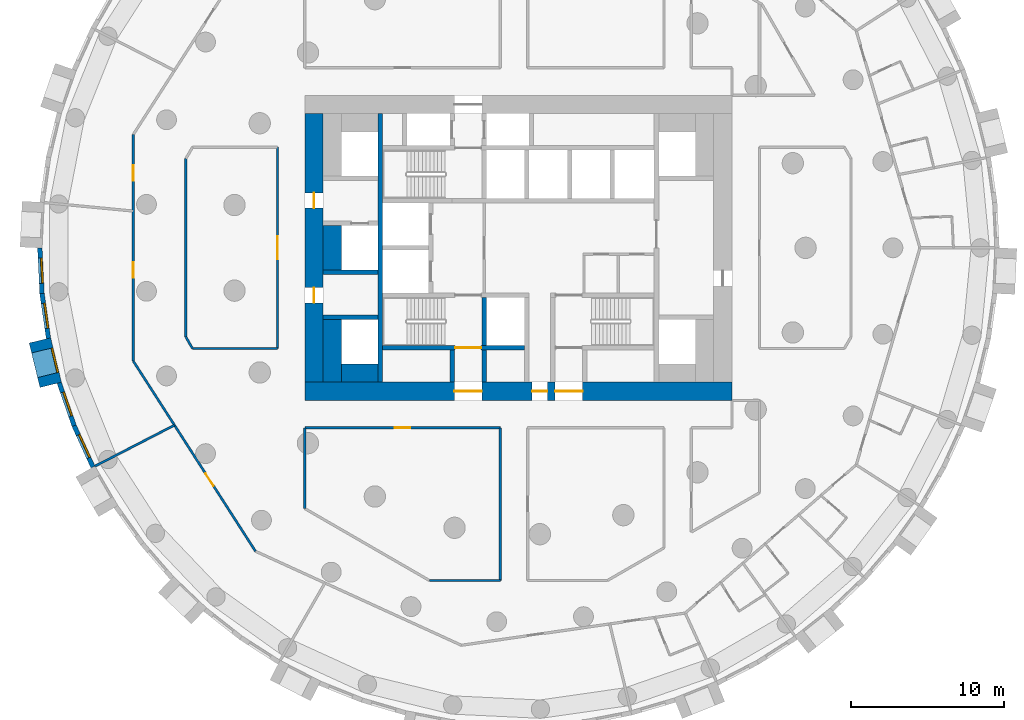
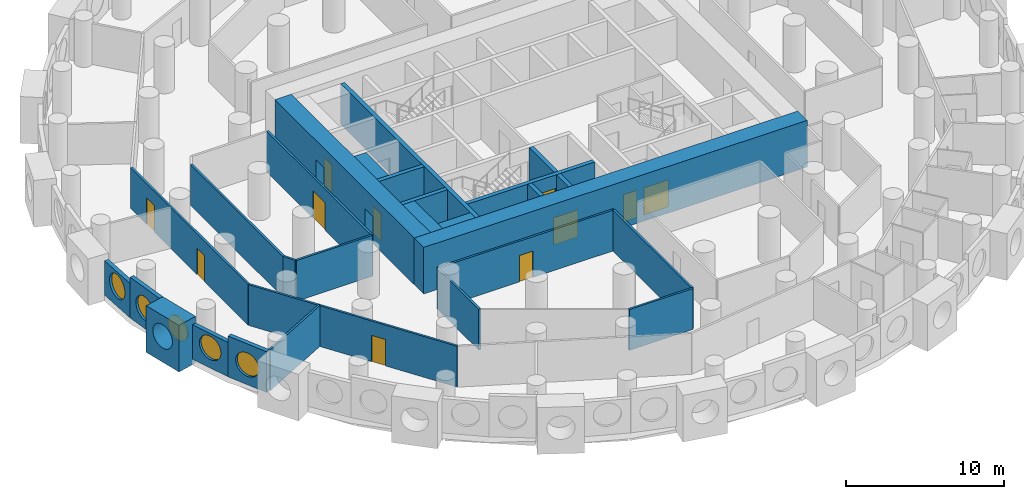
# One storey, part 3 of 12: 28 walls, 11 doors, 5 windows, 16 openings.
"""IFC4 building model written with IfcOpenShell, lengths in metres."""

from ifc_helpers import new_model, si_unit, direction, frame, frame_2d, origin, origin_2d, place, context, subcontext, project, spatial, rectangle, circle, extrude, material, layer, layer_set, type_object, element, fill, save


model = new_model("IFC4")

# Units and contexts
model_context = context("Model", 3, precision=1e-05, world=origin(), true_north=direction((0.0, 1.0)))
body_context = subcontext(model_context, "Body", "Model", "MODEL_VIEW")
ifc_project = project(units=[si_unit("LENGTHUNIT", "METRE"), si_unit("AREAUNIT", "SQUARE_METRE"), si_unit("VOLUMEUNIT", "CUBIC_METRE"), si_unit("PLANEANGLEUNIT", "RADIAN"), si_unit("MASSUNIT", "GRAM", prefix="KILO")], contexts=[model_context])

# Site, building, storey
site_placement = place(None, origin())
site = spatial("IfcSite", under=ifc_project, at=site_placement, CompositionType="ELEMENT")
building_placement = place(site_placement, origin())
building = spatial("IfcBuilding", under=site, at=building_placement, Name="Tracery Tower", CompositionType="ELEMENT")
storey_placement = place(building_placement, frame((0.0, 0.0, 78.60009765625)))
storey = spatial("IfcBuildingStorey", under=building, at=storey_placement, Name="L19", CompositionType="ELEMENT", Elevation=78.60009765625)

# Walls
ifc_material_1 = material(Name="Concrete C60/75", Category="concrete")
ifc_layer_1 = layer(ifc_material_1, 1.199951171875)
ifc_layer_set_1 = layer_set([ifc_layer_1], Name="Core strip wall 1200 C60")
wall_type_1 = type_object("IfcWallType", Name="Core strip wall 1200 C60", PredefinedType="SOLIDWALL", material=ifc_layer_set_1)
wall_1_placement = place(storey_placement, frame((-12.199951171875, -8.800048828125, 0.0), z_axis=(0.0, 0.0, 1.0), x_axis=(0.0, 1.0, 0.0)))
element("IfcWall", 1, at=wall_1_placement, inside=storey, type_object=wall_type_1, Name="L19 wing strip -1 -9.4", PredefinedType="SOLIDWALL", context=body_context, shape_type="SweptSolid", body=[
    extrude(rectangle(XDim=4.10009765625, YDim=1.199951171875, at=frame_2d((2.050048828125, 0.0))), origin(), (0.0, 0.0, 1.0), 3.14990234375),
])
wall_2_placement = place(storey_placement, frame((-12.199951171875, -1.449951171875, 0.0), z_axis=(0.0, 0.0, 1.0), x_axis=(0.0, 1.0, 0.0)))
element("IfcWall", 2, at=wall_2_placement, inside=storey, type_object=wall_type_1, Name="L19 wing strip -1 -1.6", PredefinedType="SOLIDWALL", context=body_context, shape_type="SweptSolid", body=[
    extrude(rectangle(XDim=2.89990234375, YDim=1.199951171875, at=frame_2d((1.449951171875, 0.0))), origin(), (0.0, 0.0, 1.0), 3.14990234375),
])
wall_3_placement = place(storey_placement, frame((-11.60009765625, -8.199951171875, 0.0), z_axis=(0.0, 0.0, 1.0), x_axis=(1.0, 0.0, 0.0)))
element("IfcWall", 3, at=wall_3_placement, inside=storey, type_object=wall_type_1, Name="L19 wing corner -1 -8.2", PredefinedType="SOLIDWALL", context=body_context, shape_type="SweptSolid", body=[
    extrude(rectangle(XDim=2.400146484375, YDim=1.199951171875, at=frame_2d((1.2001953125, 0.0))), origin(), (0.0, 0.0, 1.0), 3.14990234375),
])

# Wall, openings, doors
ifc_material_2 = material(Name="Concrete C60/75", Category="concrete")
ifc_layer_2 = layer(ifc_material_2, 1.199951171875)
ifc_layer_set_2 = layer_set([ifc_layer_2], Name="Core wall 1200 C60")
wall_type_2 = type_object("IfcWallType", Name="Core wall 1200 C60", PredefinedType="SOLIDWALL", material=ifc_layer_set_2)
wall_4_placement = place(storey_placement, frame((-14.0, -9.39990234375, 0.0), z_axis=(0.0, 0.0, 1.0), x_axis=(1.0, 0.0, 0.0)))
wall_4 = element("IfcWall", 4, at=wall_4_placement, inside=storey, type_object=wall_type_2, Name="L19 outer S", PredefinedType="SOLIDWALL", context=body_context, shape_type="SweptSolid", body=[
    extrude(rectangle(XDim=28.0, YDim=1.199951171875, at=frame_2d((14.0, 0.0))), origin(), (0.0, 0.0, 1.0), 3.599853515625),
])
opening_1_placement = place(wall_4_placement, frame((14.89990234375, 0.0, 0.0)))
opening_1 = element("IfcOpeningElement", 5, at=opening_1_placement, cuts=wall_4, Name="Opening KD16", PredefinedType="OPENING", context=body_context, shape_type="SweptSolid", body=[
    extrude(rectangle(XDim=1.0, YDim=2.10009765625, at=frame_2d((0.5, 1.050048828125))), frame((0.0, 0.60009765625, 0.0), z_axis=(0.0, -1.0, 0.0), x_axis=(1.0, 0.0, 0.0)), (0.0, 0.0, 1.0), 1.199951171875),
])
opening_2_placement = place(wall_4_placement, frame((9.800048828125, 0.0, 0.0)))
opening_2 = element("IfcOpeningElement", 6, at=opening_2_placement, cuts=wall_4, Name="Opening KD13", PredefinedType="OPENING", context=body_context, shape_type="SweptSolid", body=[
    extrude(rectangle(XDim=1.800048828125, YDim=2.10009765625, at=frame_2d((0.89990234375, 1.050048828125))), frame((0.0, 0.60009765625, 0.0), z_axis=(0.0, -1.0, 0.0), x_axis=(1.0, 0.0, 0.0)), (0.0, 0.0, 1.0), 1.199951171875),
])
opening_3_placement = place(wall_4_placement, frame((16.39990234375, 0.0, 0.0)))
opening_3 = element("IfcOpeningElement", 7, at=opening_3_placement, cuts=wall_4, Name="Opening KD13", PredefinedType="OPENING", context=body_context, shape_type="SweptSolid", body=[
    extrude(rectangle(XDim=1.800048828125, YDim=2.10009765625, at=frame_2d((0.89990234375, 1.050048828125))), frame((0.0, 0.60009765625, 0.0), z_axis=(0.0, -1.0, 0.0), x_axis=(1.0, 0.0, 0.0)), (0.0, 0.0, 1.0), 1.199951171875),
])
ifc_material_3 = material(Name="Steel fire door", Category="steel")
door_type_1 = type_object("IfcDoorType", Name="Core exit door 1000", OperationType="NOTDEFINED", PredefinedType="DOOR", material=ifc_material_3)
door_1_placement = place(opening_1_placement, origin())
door_1 = element("IfcDoor", 8, at=door_1_placement, inside=storey, type_object=door_type_1, Name="Core exit door", OperationType="SINGLE_SWING_LEFT", OverallHeight=2.10009765625, OverallWidth=1.0, PredefinedType="DOOR", context=body_context, shape_type="SweptSolid", body=[
    extrude(rectangle(XDim=1.0, YDim=2.10009765625, at=frame_2d((0.5, 1.050048828125))), frame((0.0, 0.02490234375, 0.0), z_axis=(0.0, -1.0, 0.0), x_axis=(1.0, 0.0, 0.0)), (0.0, 0.0, 1.0), 0.050048828125),
])
fill(opening_1, door_1)
ifc_material_4 = material(Name="Steel fire door", Category="steel")
door_type_2 = type_object("IfcDoorType", Name="Core exit door 1800 double", OperationType="NOTDEFINED", PredefinedType="DOOR", material=ifc_material_4)
door_2_placement = place(opening_2_placement, origin())
door_2 = element("IfcDoor", 9, at=door_2_placement, inside=storey, type_object=door_type_2, Name="Core exit door", OperationType="DOUBLE_DOOR_SINGLE_SWING", OverallHeight=2.10009765625, OverallWidth=1.800048828125, PredefinedType="DOOR", context=body_context, shape_type="SweptSolid", body=[
    extrude(rectangle(XDim=1.800048828125, YDim=2.10009765625, at=frame_2d((0.89990234375, 1.050048828125))), frame((0.0, 0.02490234375, 0.0), z_axis=(0.0, -1.0, 0.0), x_axis=(1.0, 0.0, 0.0)), (0.0, 0.0, 1.0), 0.050048828125),
])
fill(opening_2, door_2)
door_3_placement = place(opening_3_placement, origin())
door_3 = element("IfcDoor", 10, at=door_3_placement, inside=storey, type_object=door_type_2, Name="Core exit door", OperationType="DOUBLE_DOOR_SINGLE_SWING", OverallHeight=2.10009765625, OverallWidth=1.800048828125, PredefinedType="DOOR", context=body_context, shape_type="SweptSolid", body=[
    extrude(rectangle(XDim=1.800048828125, YDim=2.10009765625, at=frame_2d((0.89990234375, 1.050048828125))), frame((0.0, 0.02490234375, 0.0), z_axis=(0.0, -1.0, 0.0), x_axis=(1.0, 0.0, 0.0)), (0.0, 0.0, 1.0), 0.050048828125),
])
fill(opening_3, door_3)

wall_5_placement = place(storey_placement, frame((-13.39990234375, -8.800048828125, 0.0), z_axis=(0.0, 0.0, 1.0), x_axis=(0.0, 1.0, 0.0)))
wall_5 = element("IfcWall", 11, at=wall_5_placement, inside=storey, type_object=wall_type_2, Name="L19 outer W", PredefinedType="SOLIDWALL", context=body_context, shape_type="SweptSolid", body=[
    extrude(rectangle(XDim=17.60009765625, YDim=1.199951171875, at=frame_2d((8.800048828125, 0.0))), origin(), (0.0, 0.0, 1.0), 3.599853515625),
])
opening_4_placement = place(wall_5_placement, frame((5.199951171875, 0.0, 0.0)))
opening_4 = element("IfcOpeningElement", 12, at=opening_4_placement, cuts=wall_5, Name="Opening KD18", PredefinedType="OPENING", context=body_context, shape_type="SweptSolid", body=[
    extrude(rectangle(XDim=1.0, YDim=2.10009765625, at=frame_2d((0.5, 1.050048828125))), frame((0.0, 0.60009765625, 0.0), z_axis=(0.0, -1.0, 0.0), x_axis=(1.0, 0.0, 0.0)), (0.0, 0.0, 1.0), 1.199951171875),
])
opening_5_placement = place(wall_5_placement, frame((11.39990234375, 0.0, 0.0)))
opening_5 = element("IfcOpeningElement", 13, at=opening_5_placement, cuts=wall_5, Name="Opening KD18", PredefinedType="OPENING", context=body_context, shape_type="SweptSolid", body=[
    extrude(rectangle(XDim=1.0, YDim=2.10009765625, at=frame_2d((0.5, 1.050048828125))), frame((0.0, 0.60009765625, 0.0), z_axis=(0.0, -1.0, 0.0), x_axis=(1.0, 0.0, 0.0)), (0.0, 0.0, 1.0), 1.199951171875),
])
door_4_placement = place(opening_4_placement, origin())
door_4 = element("IfcDoor", 14, at=door_4_placement, inside=storey, type_object=door_type_1, Name="Core exit door", OperationType="DOUBLE_DOOR_SINGLE_SWING", OverallHeight=2.10009765625, OverallWidth=1.0, PredefinedType="DOOR", context=body_context, shape_type="SweptSolid", body=[
    extrude(rectangle(XDim=1.0, YDim=2.10009765625, at=frame_2d((0.5, 1.050048828125))), frame((0.0, 0.02490234375, 0.0), z_axis=(0.0, -1.0, 0.0), x_axis=(1.0, 0.0, 0.0)), (0.0, 0.0, 1.0), 0.050048828125),
])
fill(opening_4, door_4)
door_5_placement = place(opening_5_placement, origin())
door_5 = element("IfcDoor", 15, at=door_5_placement, inside=storey, type_object=door_type_1, Name="Core exit door", OperationType="DOUBLE_DOOR_SINGLE_SWING", OverallHeight=2.10009765625, OverallWidth=1.0, PredefinedType="DOOR", context=body_context, shape_type="SweptSolid", body=[
    extrude(rectangle(XDim=1.0, YDim=2.10009765625, at=frame_2d((0.5, 1.050048828125))), frame((0.0, 0.02490234375, 0.0), z_axis=(0.0, -1.0, 0.0), x_axis=(1.0, 0.0, 0.0)), (0.0, 0.0, 1.0), 0.050048828125),
])
fill(opening_5, door_5)

# Wall, opening, window
ifc_material_5 = material(Name="Precast concrete C50/60", Category="concrete")
ifc_layer_3 = layer(ifc_material_5, 1.449951171875)
ifc_layer_set_3 = layer_set([ifc_layer_3], Name="Deep-set bay unit 3000 x 3600, slab edge 450")
wall_type_3 = type_object("IfcWallType", Name="Deep-set bay unit 3000 x 3600, slab edge 450", PredefinedType="ELEMENTEDWALL", material=ifc_layer_set_3)
wall_6_placement = place(storey_placement, frame((-31.367919921875, -6.066162109375, -0.4501953125), z_axis=(0.0, 0.0, 1.0), x_axis=(0.235751415068, -0.971813392732, 0.0)))
wall_6 = element("IfcWall", 16, at=wall_6_placement, inside=storey, type_object=wall_type_3, Name="Deep-set bay unit 36 at L19", PredefinedType="ELEMENTEDWALL", context=body_context, shape_type="SweptSolid", body=[
    extrude(rectangle(XDim=3.0, YDim=1.449951171875, at=frame_2d((1.5, 0.0))), origin(), (0.0, 0.0, 1.0), 3.60009765625),
])
opening_6_placement = place(wall_6_placement, frame((1.5, 0.0, 2.0)))
opening_6 = element("IfcOpeningElement", 17, at=opening_6_placement, cuts=wall_6, Name="Opening WN1", PredefinedType="OPENING", context=body_context, shape_type="SweptSolid", body=[
    extrude(circle(Radius=0.9000244140625, at=origin_2d()), frame((0.0, 0.73486328125, 0.0), z_axis=(0.0, -1.0, 0.0), x_axis=(1.0, 0.0, 0.0)), (0.0, 0.0, 1.0), 1.469970703125),
])
ifc_material_6 = material(Name="Aluminium frame with tinted double glazing", Category="aluminium")
window_type = type_object("IfcWindowType", Name="Round window 1800", PartitioningType="SINGLE_PANEL", PredefinedType="WINDOW", material=ifc_material_6)
window_1_placement = place(opening_6_placement, origin())
window_1 = element("IfcWindow", 18, at=window_1_placement, inside=storey, type_object=window_type, Name="Round window 36 at L19", OverallHeight=1.800048828125, OverallWidth=1.800048828125, PartitioningType="SINGLE_PANEL", PredefinedType="WINDOW", context=body_context, shape_type="SweptSolid", body=[
    extrude(circle(Radius=0.9000244140625, at=origin_2d()), frame((0.0, 0.69482421875, 0.0), z_axis=(0.0, -1.0, 0.0), x_axis=(1.0, 0.0, 0.0)), (0.0, 0.0, 1.0), 0.10009765625),
])
fill(opening_6, window_1)

ifc_material_7 = material(Name="Precast concrete C50/60", Category="concrete")
ifc_layer_4 = layer(ifc_material_7, 0.300048828125)
ifc_layer_set_4 = layer_set([ifc_layer_4], Name="Facade panel 3000 x 2650")
wall_type_4 = type_object("IfcWallType", Name="Facade panel 3000 x 2650", PredefinedType="SOLIDWALL", material=ifc_layer_set_4)
wall_7_placement = place(storey_placement, frame((-31.3740234375, -0.006103515625, 0.0), z_axis=(0.0, 0.0, 1.0), x_axis=(0.047522328113, -0.998870175914, 0.0)))
wall_7 = element("IfcWall", 19, at=wall_7_placement, inside=storey, type_object=wall_type_4, Name="Facade panel 34 at L19", PredefinedType="SOLIDWALL", context=body_context, shape_type="SweptSolid", body=[
    extrude(rectangle(XDim=2.979736328125, YDim=0.300048828125, at=frame_2d((1.48974609375, 0.0))), origin(), (0.0, 0.0, 1.0), 2.64990234375),
])
opening_7_placement = place(wall_7_placement, frame((1.48974609375, 0.0, 1.5498046875)))
opening_7 = element("IfcOpeningElement", 20, at=opening_7_placement, cuts=wall_7, Name="Opening WN1", PredefinedType="OPENING", context=body_context, shape_type="SweptSolid", body=[
    extrude(circle(Radius=0.9000244140625, at=origin_2d()), frame((0.0, 0.159912109375, 0.0), z_axis=(0.0, -1.0, 0.0), x_axis=(1.0, 0.0, 0.0)), (0.0, 0.0, 1.0), 0.320068359375),
])
window_2_placement = place(opening_7_placement, origin())
window_2 = element("IfcWindow", 21, at=window_2_placement, inside=storey, type_object=window_type, Name="Round window 34 at L19", OverallHeight=1.800048828125, OverallWidth=1.800048828125, PartitioningType="SINGLE_PANEL", PredefinedType="WINDOW", context=body_context, shape_type="SweptSolid", body=[
    extrude(circle(Radius=0.9000244140625, at=origin_2d()), frame((0.0, 0.1201171875, 0.0), z_axis=(0.0, -1.0, 0.0), x_axis=(1.0, 0.0, 0.0)), (0.0, 0.0, 1.0), 0.10009765625),
])
fill(opening_7, window_2)

wall_8_placement = place(storey_placement, frame((-30.1015625, -8.844970703125, 0.0), z_axis=(0.0, 0.0, 1.0), x_axis=(0.327096492592, -0.944990944154, 0.0)))
wall_8 = element("IfcWall", 22, at=wall_8_placement, inside=storey, type_object=wall_type_4, Name="Facade panel 37 at L19", PredefinedType="SOLIDWALL", context=body_context, shape_type="SweptSolid", body=[
    extrude(rectangle(XDim=2.9794921875, YDim=0.300048828125, at=frame_2d((1.48974609375, 0.0))), origin(), (0.0, 0.0, 1.0), 2.64990234375),
])
opening_8_placement = place(wall_8_placement, frame((1.48974609375, 0.0, 1.5498046875)))
opening_8 = element("IfcOpeningElement", 23, at=opening_8_placement, cuts=wall_8, Name="Opening WN1", PredefinedType="OPENING", context=body_context, shape_type="SweptSolid", body=[
    extrude(circle(Radius=0.9000244140625, at=origin_2d()), frame((0.0, 0.159912109375, 0.0), z_axis=(0.0, -1.0, 0.0), x_axis=(1.0, 0.0, 0.0)), (0.0, 0.0, 1.0), 0.320068359375),
])
window_3_placement = place(opening_8_placement, origin())
window_3 = element("IfcWindow", 24, at=window_3_placement, inside=storey, type_object=window_type, Name="Round window 37 at L19", OverallHeight=1.800048828125, OverallWidth=1.800048828125, PartitioningType="SINGLE_PANEL", PredefinedType="WINDOW", context=body_context, shape_type="SweptSolid", body=[
    extrude(circle(Radius=0.9000244140625, at=origin_2d()), frame((0.0, 0.1201171875, 0.0), z_axis=(0.0, -1.0, 0.0), x_axis=(1.0, 0.0, 0.0)), (0.0, 0.0, 1.0), 0.10009765625),
])
fill(opening_8, window_3)

ifc_material_8 = material(Name="Precast concrete C50/60", Category="concrete")
ifc_layer_5 = layer(ifc_material_8, 0.300048828125)
ifc_layer_set_5 = layer_set([ifc_layer_5], Name="Facade panel 3000 x 3150")
wall_type_5 = type_object("IfcWallType", Name="Facade panel 3000 x 3150", PredefinedType="SOLIDWALL", material=ifc_layer_set_5)
wall_9_placement = place(storey_placement, frame((-31.232421875, -2.982421875, 0.0), z_axis=(0.0, 0.0, 1.0), x_axis=(0.142327539111, -0.989819615693, 0.0)))
wall_9 = element("IfcWall", 25, at=wall_9_placement, inside=storey, type_object=wall_type_5, Name="Facade panel 35 at L19", PredefinedType="SOLIDWALL", context=body_context, shape_type="SweptSolid", body=[
    extrude(rectangle(XDim=2.9794921875, YDim=0.300048828125, at=frame_2d((1.48974609375, 0.0))), origin(), (0.0, 0.0, 1.0), 3.14990234375),
])
opening_9_placement = place(wall_9_placement, frame((1.48974609375, 0.0, 1.5498046875)))
opening_9 = element("IfcOpeningElement", 26, at=opening_9_placement, cuts=wall_9, Name="Opening WN1", PredefinedType="OPENING", context=body_context, shape_type="SweptSolid", body=[
    extrude(circle(Radius=0.9000244140625, at=origin_2d()), frame((0.0, 0.159912109375, 0.0), z_axis=(0.0, -1.0, 0.0), x_axis=(1.0, 0.0, 0.0)), (0.0, 0.0, 1.0), 0.320068359375),
])
window_4_placement = place(opening_9_placement, origin())
window_4 = element("IfcWindow", 27, at=window_4_placement, inside=storey, type_object=window_type, Name="Round window 35 at L19", OverallHeight=1.800048828125, OverallWidth=1.800048828125, PartitioningType="SINGLE_PANEL", PredefinedType="WINDOW", context=body_context, shape_type="SweptSolid", body=[
    extrude(circle(Radius=0.9000244140625, at=origin_2d()), frame((0.0, 0.1201171875, 0.0), z_axis=(0.0, -1.0, 0.0), x_axis=(1.0, 0.0, 0.0)), (0.0, 0.0, 1.0), 0.10009765625),
])
fill(opening_9, window_4)

wall_10_placement = place(storey_placement, frame((-29.126953125, -11.66064453125, 0.0), z_axis=(0.0, 0.0, 1.0), x_axis=(0.415407317162, -0.909635509888, 0.0)))
wall_10 = element("IfcWall", 28, at=wall_10_placement, inside=storey, type_object=wall_type_5, Name="Facade panel 38 at L19", PredefinedType="SOLIDWALL", context=body_context, shape_type="SweptSolid", body=[
    extrude(rectangle(XDim=2.979736328125, YDim=0.300048828125, at=frame_2d((1.48974609375, 0.0))), origin(), (0.0, 0.0, 1.0), 3.14990234375),
])
opening_10_placement = place(wall_10_placement, frame((1.48974609375, 0.0, 1.5498046875)))
opening_10 = element("IfcOpeningElement", 29, at=opening_10_placement, cuts=wall_10, Name="Opening WN1", PredefinedType="OPENING", context=body_context, shape_type="SweptSolid", body=[
    extrude(circle(Radius=0.9000244140625, at=origin_2d()), frame((0.0, 0.159912109375, 0.0), z_axis=(0.0, -1.0, 0.0), x_axis=(1.0, 0.0, 0.0)), (0.0, 0.0, 1.0), 0.320068359375),
])
window_5_placement = place(opening_10_placement, origin())
window_5 = element("IfcWindow", 30, at=window_5_placement, inside=storey, type_object=window_type, Name="Round window 38 at L19", OverallHeight=1.800048828125, OverallWidth=1.800048828125, PartitioningType="SINGLE_PANEL", PredefinedType="WINDOW", context=body_context, shape_type="SweptSolid", body=[
    extrude(circle(Radius=0.9000244140625, at=origin_2d()), frame((0.0, 0.1201171875, 0.0), z_axis=(0.0, -1.0, 0.0), x_axis=(1.0, 0.0, 0.0)), (0.0, 0.0, 1.0), 0.10009765625),
])
fill(opening_10, window_5)

# Wall
ifc_material_9 = material(Name="Plasterboard on steel studs", Category="steel")
ifc_layer_6 = layer(ifc_material_9, 0.14990234375)
ifc_layer_set_6 = layer_set([ifc_layer_6], Name="Partition 150 acoustic unit wall")
wall_type_6 = type_object("IfcWallType", Name="Partition 150 acoustic unit wall", PredefinedType="PARTITIONING", material=ifc_layer_set_6)
wall_11_placement = place(storey_placement, frame((-27.7529296875, -14.30810546875, 0.0), z_axis=(0.0, 0.0, 1.0), x_axis=(0.88877955153, 0.45833493079, 0.0)))
element("IfcWall", 31, at=wall_11_placement, inside=storey, type_object=wall_type_6, Name="Unit wall RA5-084", PredefinedType="PARTITIONING", context=body_context, shape_type="SweptSolid", body=[
    extrude(rectangle(XDim=5.856201171875, YDim=0.14990234375, at=frame_2d((2.92822265625, 0.0))), origin(), (0.0, 0.0, 1.0), 3.14990234375),
])

# Wall, opening, door
ifc_material_10 = material(Name="Plasterboard on steel studs", Category="steel")
ifc_layer_7 = layer(ifc_material_10, 0.14990234375)
ifc_layer_set_7 = layer_set([ifc_layer_7], Name="Partition 150 corridor wall")
wall_type_7 = type_object("IfcWallType", Name="Partition 150 corridor wall", PredefinedType="PARTITIONING", material=ifc_layer_set_7)
wall_12_placement = place(storey_placement, frame((-14.00390625, -11.800048828125, 0.0), z_axis=(0.0, 0.0, 1.0), x_axis=(1.0, 0.0, 0.0)))
wall_12 = element("IfcWall", 32, at=wall_12_placement, inside=storey, type_object=wall_type_7, Name="Corridor wall RA5-005", PredefinedType="PARTITIONING", context=body_context, shape_type="SweptSolid", body=[
    extrude(rectangle(XDim=12.81591796875, YDim=0.14990234375, at=frame_2d((6.407958984375, 0.0))), origin(), (0.0, 0.0, 1.0), 3.14990234375),
])
opening_11_placement = place(wall_12_placement, frame((5.907958984375, 0.0, 0.0)))
opening_11 = element("IfcOpeningElement", 33, at=opening_11_placement, cuts=wall_12, Name="Opening RA5-04", PredefinedType="OPENING", context=body_context, shape_type="SweptSolid", body=[
    extrude(rectangle(XDim=1.0, YDim=2.0400390625, at=frame_2d((0.5, 1.02001953125))), frame((0.0, 0.074951171875, 0.0), z_axis=(0.0, -1.0, 0.0), x_axis=(1.0, 0.0, 0.0)), (0.0, 0.0, 1.0), 0.14990234375),
])
ifc_material_11 = material(Name="Timber door leaf", Category="wood")
door_type_3 = type_object("IfcDoorType", Name="Door communal room 1000", OperationType="NOTDEFINED", PredefinedType="DOOR", material=ifc_material_11)
door_6_placement = place(opening_11_placement, origin())
door_6 = element("IfcDoor", 34, at=door_6_placement, inside=storey, type_object=door_type_3, Name="Communal room door RA5-04", OperationType="SINGLE_SWING_RIGHT", OverallHeight=2.0400390625, OverallWidth=1.0, PredefinedType="DOOR", context=body_context, shape_type="SweptSolid", body=[
    extrude(rectangle(XDim=1.0, YDim=2.0400390625, at=frame_2d((0.5, 1.02001953125))), frame((0.0, 0.02490234375, 0.0), z_axis=(0.0, -1.0, 0.0), x_axis=(1.0, 0.0, 0.0)), (0.0, 0.0, 1.0), 0.050048828125),
])
fill(opening_11, door_6)

wall_13_placement = place(storey_placement, frame((-15.800048828125, -6.60400390625, 0.0), z_axis=(0.0, 0.0, 1.0), x_axis=(0.0, 1.0, 0.0)))
wall_13 = element("IfcWall", 35, at=wall_13_placement, inside=storey, type_object=wall_type_7, Name="Corridor wall RA5-012", PredefinedType="PARTITIONING", context=body_context, shape_type="SweptSolid", body=[
    extrude(rectangle(XDim=13.2080078125, YDim=0.14990234375, at=frame_2d((6.60400390625, 0.0))), origin(), (0.0, 0.0, 1.0), 3.14990234375),
])
opening_12_placement = place(wall_13_placement, frame((5.85400390625, 0.0, 0.0)))
opening_12 = element("IfcOpeningElement", 36, at=opening_12_placement, cuts=wall_13, Name="Opening RA5-08", PredefinedType="OPENING", context=body_context, shape_type="SweptSolid", body=[
    extrude(rectangle(XDim=1.5, YDim=2.10009765625, at=frame_2d((0.75, 1.050048828125))), frame((0.0, 0.074951171875, 0.0), z_axis=(0.0, -1.0, 0.0), x_axis=(1.0, 0.0, 0.0)), (0.0, 0.0, 1.0), 0.14990234375),
])
ifc_material_12 = material(Name="Timber door leaf", Category="wood")
door_type_4 = type_object("IfcDoorType", Name="Door double kitchen 1500", OperationType="NOTDEFINED", PredefinedType="DOOR", material=ifc_material_12)
door_7_placement = place(opening_12_placement, origin())
door_7 = element("IfcDoor", 37, at=door_7_placement, inside=storey, type_object=door_type_4, Name="Double kitchen door RA5-08", OperationType="DOUBLE_DOOR_SINGLE_SWING", OverallHeight=2.10009765625, OverallWidth=1.5, PredefinedType="DOOR", context=body_context, shape_type="SweptSolid", body=[
    extrude(rectangle(XDim=1.5, YDim=2.10009765625, at=frame_2d((0.75, 1.050048828125))), frame((0.0, 0.02490234375, 0.0), z_axis=(0.0, -1.0, 0.0), x_axis=(1.0, 0.0, 0.0)), (0.0, 0.0, 1.0), 0.050048828125),
])
fill(opening_12, door_7)

# Walls
wall_14_placement = place(storey_placement, frame((-14.0, -17.092041015625, 0.0), z_axis=(0.0, 0.0, 1.0), x_axis=(0.0, 1.0, 0.0)))
element("IfcWall", 38, at=wall_14_placement, inside=storey, type_object=wall_type_7, Name="Corridor wall RA5-037", PredefinedType="PARTITIONING", context=body_context, shape_type="SweptSolid", body=[
    extrude(rectangle(XDim=5.2919921875, YDim=0.14990234375, at=frame_2d((2.64599609375, 0.0))), origin(), (0.0, 0.0, 1.0), 3.14990234375),
])
wall_15_placement = place(storey_placement, frame((-21.802001953125, -5.842041015625, 0.0), z_axis=(0.0, 0.0, 1.0), x_axis=(0.0, 1.0, 0.0)))
element("IfcWall", 39, at=wall_15_placement, inside=storey, type_object=wall_type_7, Name="Corridor wall RA5-040", PredefinedType="PARTITIONING", context=body_context, shape_type="SweptSolid", body=[
    extrude(rectangle(XDim=11.68408203125, YDim=0.14990234375, at=frame_2d((5.842041015625, 0.0))), origin(), (0.0, 0.0, 1.0), 3.14990234375),
])
wall_16_placement = place(storey_placement, frame((-21.802001953125, -5.842041015625, 0.0), z_axis=(0.0, 0.0, 1.0), x_axis=(0.500277597875, -0.865865073245, 0.0)))
element("IfcWall", 40, at=wall_16_placement, inside=storey, type_object=wall_type_7, Name="Corridor wall RA5-041", PredefinedType="PARTITIONING", context=body_context, shape_type="SweptSolid", body=[
    extrude(rectangle(XDim=0.87548828125, YDim=0.14990234375, at=frame_2d((0.437744140625, 0.0))), origin(), (0.0, 0.0, 1.0), 3.14990234375),
])
wall_17_placement = place(storey_placement, frame((-21.364013671875, -6.60009765625, 0.0), z_axis=(0.0, 0.0, 1.0), x_axis=(1.0, 0.0, 0.0)))
element("IfcWall", 41, at=wall_17_placement, inside=storey, type_object=wall_type_7, Name="Corridor wall RA5-042", PredefinedType="PARTITIONING", context=body_context, shape_type="SweptSolid", body=[
    extrude(rectangle(XDim=5.56396484375, YDim=0.14990234375, at=frame_2d((2.781982421875, 0.0))), origin(), (0.0, 0.0, 1.0), 3.14990234375),
])

# Wall, openings, doors
wall_18_placement = place(storey_placement, frame((-25.2529296875, -7.4150390625, 0.0), z_axis=(0.0, 0.0, 1.0), x_axis=(0.0, 1.0, 0.0)))
wall_18 = element("IfcWall", 42, at=wall_18_placement, inside=storey, type_object=wall_type_7, Name="Corridor wall RA5-043", PredefinedType="PARTITIONING", context=body_context, shape_type="SweptSolid", body=[
    extrude(rectangle(XDim=14.830078125, YDim=0.14990234375, at=frame_2d((7.4150390625, 0.0))), origin(), (0.0, 0.0, 1.0), 3.14990234375),
])
opening_13_placement = place(wall_18_placement, frame((11.825927734375, 0.0, 0.0)))
opening_13 = element("IfcOpeningElement", 43, at=opening_13_placement, cuts=wall_18, Name="Opening RA5-27", PredefinedType="OPENING", context=body_context, shape_type="SweptSolid", body=[
    extrude(rectangle(XDim=1.0, YDim=2.0400390625, at=frame_2d((0.5, 1.02001953125))), frame((0.0, 0.074951171875, 0.0), z_axis=(0.0, -1.0, 0.0), x_axis=(1.0, 0.0, 0.0)), (0.0, 0.0, 1.0), 0.14990234375),
])
opening_14_placement = place(wall_18_placement, frame((5.465087890625, 0.0, 0.0)))
opening_14 = element("IfcOpeningElement", 44, at=opening_14_placement, cuts=wall_18, Name="Opening RA5-28", PredefinedType="OPENING", context=body_context, shape_type="SweptSolid", body=[
    extrude(rectangle(XDim=1.0, YDim=2.0400390625, at=frame_2d((0.5, 1.02001953125))), frame((0.0, 0.074951171875, 0.0), z_axis=(0.0, -1.0, 0.0), x_axis=(1.0, 0.0, 0.0)), (0.0, 0.0, 1.0), 0.14990234375),
])
door_8_placement = place(opening_13_placement, origin())
door_8 = element("IfcDoor", 45, at=door_8_placement, inside=storey, type_object=door_type_3, Name="Communal room door RA5-27", OperationType="SINGLE_SWING_RIGHT", OverallHeight=2.0400390625, OverallWidth=1.0, PredefinedType="DOOR", context=body_context, shape_type="SweptSolid", body=[
    extrude(rectangle(XDim=1.0, YDim=2.0400390625, at=frame_2d((0.5, 1.02001953125))), frame((0.0, 0.02490234375, 0.0), z_axis=(0.0, -1.0, 0.0), x_axis=(1.0, 0.0, 0.0)), (0.0, 0.0, 1.0), 0.050048828125),
])
fill(opening_13, door_8)
door_9_placement = place(opening_14_placement, origin())
door_9 = element("IfcDoor", 46, at=door_9_placement, inside=storey, type_object=door_type_3, Name="Communal room door RA5-28", OperationType="SINGLE_SWING_RIGHT", OverallHeight=2.0400390625, OverallWidth=1.0, PredefinedType="DOOR", context=body_context, shape_type="SweptSolid", body=[
    extrude(rectangle(XDim=1.0, YDim=2.0400390625, at=frame_2d((0.5, 1.02001953125))), frame((0.0, 0.02490234375, 0.0), z_axis=(0.0, -1.0, 0.0), x_axis=(1.0, 0.0, 0.0)), (0.0, 0.0, 1.0), 0.050048828125),
])
fill(opening_14, door_9)

# Wall, opening, door
wall_19_placement = place(storey_placement, frame((-25.2529296875, -7.4150390625, 0.0), z_axis=(0.0, 0.0, 1.0), x_axis=(0.540656073354, -0.841243728265, 0.0)))
wall_19 = element("IfcWall", 47, at=wall_19_placement, inside=storey, type_object=wall_type_7, Name="Corridor wall RA5-044", PredefinedType="PARTITIONING", context=body_context, shape_type="SweptSolid", body=[
    extrude(rectangle(XDim=14.829345703125, YDim=0.14990234375, at=frame_2d((7.41455078125, 0.0))), origin(), (0.0, 0.0, 1.0), 3.14990234375),
])
opening_15_placement = place(wall_19_placement, frame((8.75341796875, 0.0, 0.0)))
opening_15 = element("IfcOpeningElement", 48, at=opening_15_placement, cuts=wall_19, Name="Opening RA5-29", PredefinedType="OPENING", context=body_context, shape_type="SweptSolid", body=[
    extrude(rectangle(XDim=1.0, YDim=2.0400390625, at=frame_2d((0.5, 1.02001953125))), frame((0.0, 0.074951171875, 0.0), z_axis=(0.0, -1.0, 0.0), x_axis=(1.0, 0.0, 0.0)), (0.0, 0.0, 1.0), 0.14990234375),
])
door_10_placement = place(opening_15_placement, origin())
door_10 = element("IfcDoor", 49, at=door_10_placement, inside=storey, type_object=door_type_3, Name="Communal room door RA5-29", OperationType="SINGLE_SWING_LEFT", OverallHeight=2.0400390625, OverallWidth=1.0, PredefinedType="DOOR", context=body_context, shape_type="SweptSolid", body=[
    extrude(rectangle(XDim=1.0, YDim=2.0400390625, at=frame_2d((0.5, 1.02001953125))), frame((0.0, 0.02490234375, 0.0), z_axis=(0.0, -1.0, 0.0), x_axis=(1.0, 0.0, 0.0)), (0.0, 0.0, 1.0), 0.050048828125),
])
fill(opening_15, door_10)

# Walls
wall_20_placement = place(storey_placement, frame((-5.842041015625, -21.802001953125, 0.0), z_axis=(0.0, 0.0, 1.0), x_axis=(1.0, 0.0, 0.0)))
element("IfcWall", 50, at=wall_20_placement, inside=storey, type_object=wall_type_7, Name="Corridor wall RA5-046", PredefinedType="PARTITIONING", context=body_context, shape_type="SweptSolid", body=[
    extrude(rectangle(XDim=4.650146484375, YDim=0.14990234375, at=frame_2d((2.3251953125, 0.0))), origin(), (0.0, 0.0, 1.0), 3.14990234375),
])
wall_21_placement = place(storey_placement, frame((-1.19189453125, -21.802001953125, 0.0), z_axis=(0.0, 0.0, 1.0), x_axis=(0.0, 1.0, 0.0)))
element("IfcWall", 51, at=wall_21_placement, inside=storey, type_object=wall_type_7, Name="Corridor wall RA5-047", PredefinedType="PARTITIONING", context=body_context, shape_type="SweptSolid", body=[
    extrude(rectangle(XDim=10.001953125, YDim=0.14990234375, at=frame_2d((5.0009765625, 0.0))), origin(), (0.0, 0.0, 1.0), 3.14990234375),
])
ifc_material_13 = material(Name="Concrete C60/75", Category="concrete")
ifc_layer_8 = layer(ifc_material_13, 0.300048828125)
ifc_layer_set_8 = layer_set([ifc_layer_8], Name="Shaft wall 300 C60")
wall_type_8 = type_object("IfcWallType", Name="Shaft wall 300 C60", PredefinedType="SOLIDWALL", material=ifc_layer_set_8)
wall_22_placement = place(storey_placement, frame((-4.35009765625, -8.800048828125, 0.0), z_axis=(0.0, 0.0, 1.0), x_axis=(0.0, 1.0, 0.0)))
element("IfcWall", 52, at=wall_22_placement, inside=storey, type_object=wall_type_8, Name="L19 band S -4.35", PredefinedType="SOLIDWALL", context=body_context, shape_type="SweptSolid", body=[
    extrude(rectangle(XDim=2.10009765625, YDim=0.300048828125, at=frame_2d((1.050048828125, 0.0))), origin(), (0.0, 0.0, 1.0), 3.14990234375),
])
for number, where, z_axis, x_axis, name in (
    (53, (-12.800048828125, -4.550048828125, 0.0), (0.0, 0.0, 1.0), (1.0, 0.0, 0.0), "L19 wing shaft wall -1 -4.55"),
    (54, (-12.800048828125, -1.60009765625, 0.0), (0.0, 0.0, 1.0), (1.0, 0.0, 0.0), "L19 wing shaft wall -1 -1.60"),
):
    element("IfcWall", number, at=place(storey_placement, frame(where, z_axis=z_axis, x_axis=x_axis)), inside=storey, type_object=wall_type_8, Name=name, PredefinedType="SOLIDWALL", context=body_context, shape_type="SweptSolid", body=[
        extrude(rectangle(XDim=3.60009765625, YDim=0.300048828125, at=frame_2d((1.800048828125, 0.0))), origin(), (0.0, 0.0, 1.0), 3.14990234375),
    ])
ifc_material_14 = material(Name="Concrete C60/75", Category="concrete")
ifc_layer_9 = layer(ifc_material_14, 0.300048828125)
ifc_layer_set_9 = layer_set([ifc_layer_9], Name="Stair wall 300 C60")
wall_type_9 = type_object("IfcWallType", Name="Stair wall 300 C60", PredefinedType="SOLIDWALL", material=ifc_layer_set_9)
wall_23_placement = place(storey_placement, frame((-2.25, -6.39990234375, 0.0), z_axis=(0.0, 0.0, 1.0), x_axis=(0.0, 1.0, 0.0)))
element("IfcWall", 55, at=wall_23_placement, inside=storey, type_object=wall_type_9, Name="L19 ST1 E", PredefinedType="SOLIDWALL", context=body_context, shape_type="SweptSolid", body=[
    extrude(rectangle(XDim=3.14990234375, YDim=0.300048828125, at=frame_2d((1.574951171875, 0.0))), origin(), (0.0, 0.0, 1.0), 3.14990234375),
])
wall_24_placement = place(storey_placement, frame((-9.050048828125, -8.800048828125, 0.0), z_axis=(0.0, 0.0, 1.0), x_axis=(0.0, 1.0, 0.0)))
element("IfcWall", 56, at=wall_24_placement, inside=storey, type_object=wall_type_9, Name="L19 F wall -9", PredefinedType="SOLIDWALL", context=body_context, shape_type="SweptSolid", body=[
    extrude(rectangle(XDim=17.60009765625, YDim=0.300048828125, at=frame_2d((8.800048828125, 0.0))), origin(), (0.0, 0.0, 1.0), 3.14990234375),
])

# Wall, opening, door
wall_25_placement = place(storey_placement, frame((-8.89990234375, -6.550048828125, 0.0), z_axis=(0.0, 0.0, 1.0), x_axis=(1.0, 0.0, 0.0)))
wall_25 = element("IfcWall", 57, at=wall_25_placement, inside=storey, type_object=wall_type_9, Name="L19 F S W", PredefinedType="SOLIDWALL", context=body_context, shape_type="SweptSolid", body=[
    extrude(rectangle(XDim=9.2998046875, YDim=0.300048828125, at=frame_2d((4.64990234375, 0.0))), origin(), (0.0, 0.0, 1.0), 3.14990234375),
])
opening_16_placement = place(wall_25_placement, frame((4.75, 0.0, 0.0)))
opening_16 = element("IfcOpeningElement", 58, at=opening_16_placement, cuts=wall_25, Name="Opening KD3", PredefinedType="OPENING", context=body_context, shape_type="SweptSolid", body=[
    extrude(rectangle(XDim=1.699951171875, YDim=2.10009765625, at=frame_2d((0.85009765625, 1.050048828125))), frame((0.0, 0.14990234375, 0.0), z_axis=(0.0, -1.0, 0.0), x_axis=(1.0, 0.0, 0.0)), (0.0, 0.0, 1.0), 0.300048828125),
])
ifc_material_15 = material(Name="Steel fire door", Category="steel")
door_type_5 = type_object("IfcDoorType", Name="Core stair door 1700 double", OperationType="NOTDEFINED", PredefinedType="DOOR", material=ifc_material_15)
door_11_placement = place(opening_16_placement, origin())
door_11 = element("IfcDoor", 59, at=door_11_placement, inside=storey, type_object=door_type_5, Name="Stair door ST1 S", OperationType="DOUBLE_DOOR_SINGLE_SWING", OverallHeight=2.10009765625, OverallWidth=1.699951171875, PredefinedType="DOOR", context=body_context, shape_type="SweptSolid", body=[
    extrude(rectangle(XDim=1.699951171875, YDim=2.10009765625, at=frame_2d((0.85009765625, 1.050048828125))), frame((0.0, 0.02490234375, 0.0), z_axis=(0.0, -1.0, 0.0), x_axis=(1.0, 0.0, 0.0)), (0.0, 0.0, 1.0), 0.050048828125),
])
fill(opening_16, door_11)

# Wall
wall_26_placement = place(storey_placement, frame((-2.25, -8.800048828125, 0.0), z_axis=(0.0, 0.0, 1.0), x_axis=(0.0, 1.0, 0.0)))
element("IfcWall", 60, at=wall_26_placement, inside=storey, type_object=wall_type_9, Name="L19 ST1 E out", PredefinedType="SOLIDWALL", context=body_context, shape_type="SweptSolid", body=[
    extrude(rectangle(XDim=2.10009765625, YDim=0.300048828125, at=frame_2d((1.050048828125, 0.0))), origin(), (0.0, 0.0, 1.0), 3.14990234375),
])

save(model, "model.ifc")
